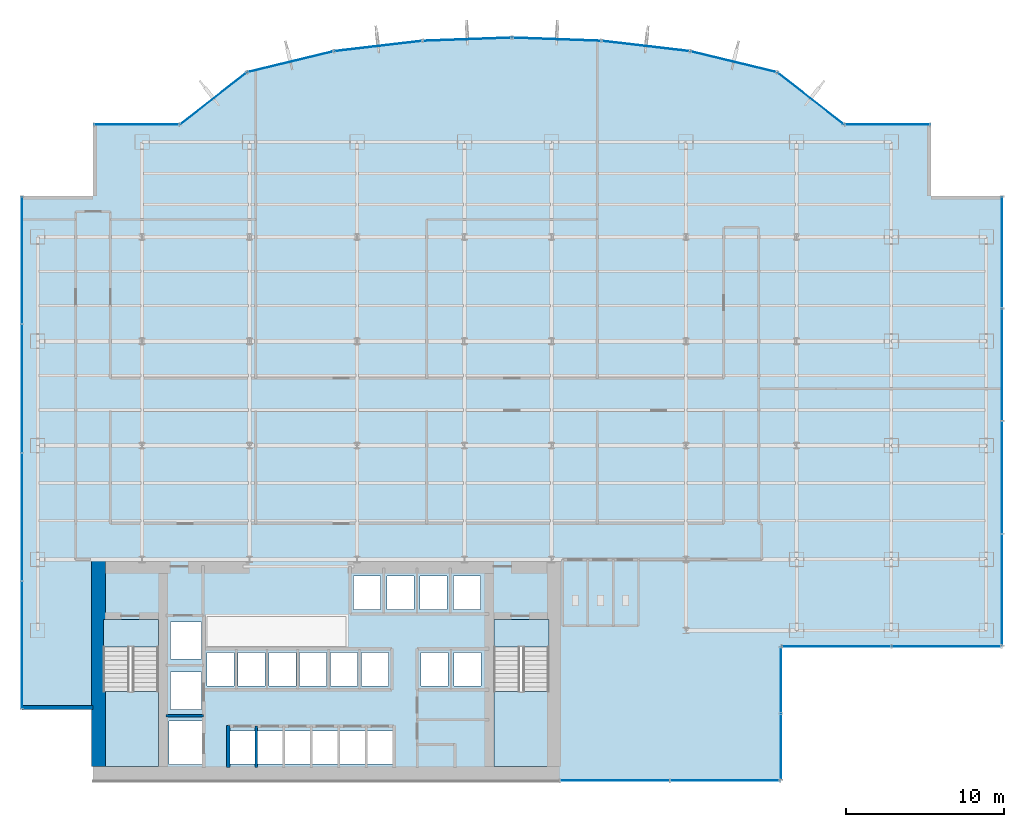
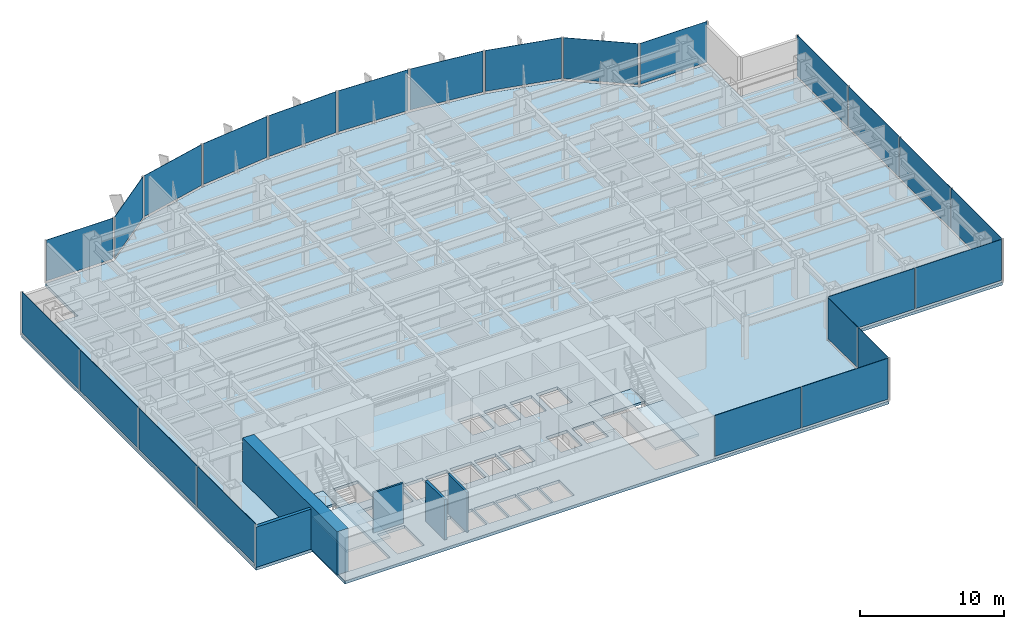
# One storey, part 16 of 22: 24 plates, 5 slabs, 5 walls, 17 elements without a shape of their own.
"""IFC4 building model written with IfcOpenShell, lengths in metres."""

from ifc_helpers import new_model, si_unit, derived_unit, direction, frame, frame_2d, origin, origin_2d, place, context, subcontext, project, spatial, polyline, rectangle, outline, extrude, source, transform, mapped, material, layer, layer_set, type_object, element, aggregate, save


model = new_model("IFC4")

# Units and contexts
model_context = context("Model", 3, precision=1e-05, world=origin(), true_north=direction((0.0, 1.0)))
body_context = subcontext(model_context, "Body", "Model", "MODEL_VIEW")
ifc_project = project(units=[si_unit("LENGTHUNIT", "METRE"), si_unit("AREAUNIT", "SQUARE_METRE"), si_unit("VOLUMEUNIT", "CUBIC_METRE"), si_unit("PLANEANGLEUNIT", "RADIAN"), si_unit("MASSUNIT", "GRAM", prefix="KILO"), derived_unit("THERMALTRANSMITTANCEUNIT", [(si_unit("POWERUNIT", "WATT"), 1), (si_unit("LENGTHUNIT", "METRE"), -2), (si_unit("THERMODYNAMICTEMPERATUREUNIT", "KELVIN"), -1)])], contexts=[model_context])

# Site, building, storey
site_placement = place(None, origin())
site = spatial("IfcSite", under=ifc_project, at=site_placement, CompositionType="ELEMENT")
building_placement = place(site_placement, origin())
building = spatial("IfcBuilding", under=site, at=building_placement, Name="Skarnbrae Concourse Arena and Tower", CompositionType="ELEMENT")
storey_placement = place(building_placement, frame((0.0, 0.0, 32.5)))
storey = spatial("IfcBuildingStorey", under=building, at=storey_placement, Name="L06", CompositionType="ELEMENT", Elevation=32.5)

# Stair, slab
ifc_material_1 = material(Name="Concrete 40 MPa (C40/50)", Category="concrete")
stair_type = type_object("IfcStairType", Name="STAIR-DOGLEG-1650", PredefinedType="HALF_TURN_STAIR", material=ifc_material_1)
stair_1_placement = place(storey_placement, origin())
stair_1 = element("IfcStair", 1, at=stair_1_placement, inside=storey, type_object=stair_type, Name="L06 Protected Exit Stair ST-1", PredefinedType="HALF_TURN_STAIR")
ifc_layer_1 = layer(ifc_material_1, 0.199951171875)
ifc_layer_set_1 = layer_set([ifc_layer_1], Name="Concrete 40 MPa (C40/50)")
slab_type_1 = type_object("IfcSlabType", Name="SLAB-LANDING-200", PredefinedType="LANDING", material=ifc_layer_set_1)
slab_1_placement = place(storey_placement, frame((0.0, 0.0, 1.625)))
slab_1 = element("IfcSlab", 2, at=slab_1_placement, type_object=slab_type_1, Name="ST-1 landing 1", PredefinedType="LANDING", context=body_context, shape_type="SweptSolid", body=[
    extrude(outline(polyline([(5.14990234375, 5.64990234375), (5.14990234375, 0.89990234375), (8.64990234375, 0.89990234375), (8.64990234375, 5.64990234375), (5.14990234375, 5.64990234375)])), origin(), (0.0, 0.0, 1.0), 0.199951171875),
])
aggregate(stair_1, [slab_1])

stair_2_placement = place(storey_placement, origin())
stair_2 = element("IfcStair", 3, at=stair_2_placement, inside=storey, type_object=stair_type, Name="L06 Protected Exit Stair ST-2", PredefinedType="HALF_TURN_STAIR")
slab_2_placement = place(storey_placement, frame((0.0, 0.0, 1.625)))
slab_2 = element("IfcSlab", 4, at=slab_2_placement, type_object=slab_type_1, Name="ST-2 landing 1", PredefinedType="LANDING", context=body_context, shape_type="SweptSolid", body=[
    extrude(outline(polyline([(29.85009765625, 5.64990234375), (29.85009765625, 0.89990234375), (33.35009765625, 0.89990234375), (33.35009765625, 5.64990234375), (29.85009765625, 5.64990234375)])), origin(), (0.0, 0.0, 1.0), 0.199951171875),
])
aggregate(stair_2, [slab_2])

# Slabs
slab_3_placement = place(storey_placement, frame((0.0, 0.0, -0.199951171875)))
element("IfcSlab", 5, at=slab_3_placement, inside=storey, type_object=slab_type_1, Name="L06 Core stair ST1 floor landing", PredefinedType="LANDING", context=body_context, shape_type="SweptSolid", body=[
    extrude(outline(polyline([(5.14990234375, 10.199951171875), (5.14990234375, 8.449951171875), (8.64990234375, 8.449951171875), (8.64990234375, 10.199951171875), (5.14990234375, 10.199951171875)])), origin(), (0.0, 0.0, 1.0), 0.199951171875),
])
slab_4_placement = place(storey_placement, frame((0.0, 0.0, -0.199951171875)))
element("IfcSlab", 6, at=slab_4_placement, inside=storey, type_object=slab_type_1, Name="L06 Core stair ST2 floor landing", PredefinedType="LANDING", context=body_context, shape_type="SweptSolid", body=[
    extrude(outline(polyline([(29.85009765625, 10.199951171875), (29.85009765625, 8.449951171875), (33.35009765625, 8.449951171875), (33.35009765625, 10.199951171875), (29.85009765625, 10.199951171875)])), origin(), (0.0, 0.0, 1.0), 0.199951171875),
])
ifc_layer_2 = layer(ifc_material_1, 0.25)
ifc_layer_set_2 = layer_set([ifc_layer_2], Name="Concrete 40 MPa (C40/50)")
slab_type_2 = type_object("IfcSlabType", Name="SLAB-TOWER-250", PredefinedType="FLOOR", material=ifc_layer_set_2)
slab_5_placement = place(storey_placement, frame((0.0, 0.0, -0.25)))
element("IfcSlab", 7, at=slab_5_placement, inside=storey, type_object=slab_type_2, Name="L06 Structural floor slab", PredefinedType="FLOOR", context=body_context, shape_type="SweptSolid", body=[
    extrude(outline(polyline([(4.5, 0.0), (48.0, 0.0), (48.0, 8.5), (62.0, 8.5), (62.0, 37.0), (57.5, 37.0), (57.5, 41.5), (52.0, 41.5), (47.766357421875, 44.811767578125), (42.2724609375, 46.140380859375), (36.65380859375, 46.796875), (31.0, 47.0), (25.34619140625, 46.796875), (19.7275390625, 46.140380859375), (14.233642578125, 44.811767578125), (10.0, 41.5), (4.5, 41.5), (4.5, 37.0), (0.0, 37.0), (0.0, 4.5), (4.5, 4.5), (4.5, 0.0)]), holes=[polyline([(13.14501953125, 3.155029296875), (14.7548828125, 3.155029296875), (14.7548828125, 1.044921875), (13.14501953125, 1.044921875), (13.14501953125, 3.155029296875)]), polyline([(16.4951171875, 3.155029296875), (16.4951171875, 1.044921875), (14.885009765625, 1.044921875), (14.885009765625, 3.155029296875), (16.4951171875, 3.155029296875)]), polyline([(18.235107421875, 3.155029296875), (18.235107421875, 1.044921875), (16.625, 1.044921875), (16.625, 3.155029296875), (18.235107421875, 3.155029296875)]), polyline([(18.364990234375, 3.155029296875), (19.97509765625, 3.155029296875), (19.97509765625, 1.044921875), (18.364990234375, 1.044921875), (18.364990234375, 3.155029296875)]), polyline([(11.455078125, 3.780029296875), (11.455078125, 1.02001953125), (9.294921875, 1.02001953125), (9.294921875, 3.780029296875), (11.455078125, 3.780029296875)]), polyline([(8.64990234375, 0.89990234375), (5.14990234375, 0.89990234375), (5.14990234375, 10.199951171875), (8.64990234375, 10.199951171875), (8.64990234375, 0.89990234375)]), polyline([(9.39501953125, 6.8798828125), (11.35498046875, 6.8798828125), (11.35498046875, 4.52001953125), (9.39501953125, 4.52001953125), (9.39501953125, 6.8798828125)]), polyline([(13.429931640625, 8.10498046875), (13.429931640625, 5.9951171875), (11.719970703125, 5.9951171875), (11.719970703125, 8.10498046875), (13.429931640625, 8.10498046875)]), polyline([(15.3798828125, 8.10498046875), (15.3798828125, 5.9951171875), (13.669921875, 5.9951171875), (13.669921875, 8.10498046875), (15.3798828125, 8.10498046875)]), polyline([(15.6201171875, 8.10498046875), (17.330078125, 8.10498046875), (17.330078125, 5.9951171875), (15.6201171875, 5.9951171875), (15.6201171875, 8.10498046875)]), polyline([(19.280029296875, 8.10498046875), (19.280029296875, 5.9951171875), (17.570068359375, 5.9951171875), (17.570068359375, 8.10498046875), (19.280029296875, 8.10498046875)]), polyline([(11.35498046875, 10.054931640625), (11.35498046875, 7.695068359375), (9.39501953125, 7.695068359375), (9.39501953125, 10.054931640625), (11.35498046875, 10.054931640625)]), polyline([(21.715087890625, 3.155029296875), (21.715087890625, 1.044921875), (20.10498046875, 1.044921875), (20.10498046875, 3.155029296875), (21.715087890625, 3.155029296875)]), polyline([(23.455078125, 3.155029296875), (23.455078125, 1.044921875), (21.844970703125, 1.044921875), (21.844970703125, 3.155029296875), (23.455078125, 3.155029296875)]), polyline([(33.35009765625, 10.199951171875), (33.35009765625, 0.89990234375), (29.85009765625, 0.89990234375), (29.85009765625, 10.199951171875), (33.35009765625, 10.199951171875)]), polyline([(21.22998046875, 8.10498046875), (21.22998046875, 5.9951171875), (19.52001953125, 5.9951171875), (19.52001953125, 8.10498046875), (21.22998046875, 8.10498046875)]), polyline([(23.179931640625, 8.10498046875), (23.179931640625, 5.9951171875), (21.469970703125, 5.9951171875), (21.469970703125, 8.10498046875), (23.179931640625, 8.10498046875)]), polyline([(25.235107421875, 8.10498046875), (26.945068359375, 8.10498046875), (26.945068359375, 5.9951171875), (25.235107421875, 5.9951171875), (25.235107421875, 8.10498046875)]), polyline([(29.044921875, 8.10498046875), (29.044921875, 5.9951171875), (27.3349609375, 5.9951171875), (27.3349609375, 8.10498046875), (29.044921875, 8.10498046875)]), polyline([(22.695068359375, 12.955078125), (22.695068359375, 10.844970703125), (20.985107421875, 10.844970703125), (20.985107421875, 12.955078125), (22.695068359375, 12.955078125)]), polyline([(23.0849609375, 12.955078125), (24.794921875, 12.955078125), (24.794921875, 10.844970703125), (23.0849609375, 10.844970703125), (23.0849609375, 12.955078125)]), polyline([(26.89501953125, 12.955078125), (26.89501953125, 10.844970703125), (25.18505859375, 10.844970703125), (25.18505859375, 12.955078125), (26.89501953125, 12.955078125)]), polyline([(28.9951171875, 12.955078125), (28.9951171875, 10.844970703125), (27.284912109375, 10.844970703125), (27.284912109375, 12.955078125), (28.9951171875, 12.955078125)])]), origin(), (0.0, 0.0, 1.0), 0.25),
])

# Curtain wall, plates
ifc_material_2 = material(Name="Bronze anodised aluminium 6063-T6", Category="aluminium")
curtain_wall_type = type_object("IfcCurtainWallType", Name="CW-SYS-02-LOWZONE", PredefinedType="USERDEFINED", material=ifc_material_2)
curtain_wall_1_placement = place(storey_placement, origin())
curtain_wall_1 = element("IfcCurtainWall", 8, at=curtain_wall_1_placement, inside=storey, type_object=curtain_wall_type, Name="L06 Unitised curtain wall CW-L06-SE-SPINE", ObjectType="UNITISED CURTAIN WALL", PredefinedType="USERDEFINED")
ifc_material_3 = material(Name="Low-E triple insulating glass", Category="glass")
ifc_layer_3 = layer(ifc_material_3, 0.031982421875)
ifc_layer_set_3 = layer_set([ifc_layer_3], Name="Low-E triple insulating glass")
plate_type = type_object("IfcPlateType", Name="CWP-CW-02", PredefinedType="CURTAIN_PANEL", material=ifc_layer_set_3)
shared_shape_1 = source(origin(), body_context, "Body", "SweptSolid", [
    extrude(rectangle(XDim=6.8798828125, YDim=0.031982421875, at=origin_2d()), origin(), (0.0, 0.0, 1.0), 3.4599609375),
])
plate_1_placement = place(storey_placement, frame((37.52001953125, 0.0, 0.18994140625), z_axis=(0.0, 0.0, 1.0), x_axis=(1.0, 0.0, 0.0)))
plate_1 = element("IfcPlate", 9, at=plate_1_placement, type_object=plate_type, Name="CW-L06-SE-SPINE Low-E Glazing Panel 1", PredefinedType="CURTAIN_PANEL", context=body_context, shape_type="MappedRepresentation", body=[
    mapped(shared_shape_1, transform((0.0, 0.0, 0.0))),
])
plate_2_placement = place(storey_placement, frame((44.47998046875, 0.0, 0.18994140625), z_axis=(0.0, 0.0, 1.0), x_axis=(1.0, 0.0, 0.0)))
plate_2 = element("IfcPlate", 10, at=plate_2_placement, type_object=plate_type, Name="CW-L06-SE-SPINE Low-E Glazing Panel 2", PredefinedType="CURTAIN_PANEL", context=body_context, shape_type="MappedRepresentation", body=[
    mapped(shared_shape_1, transform((0.0, 0.0, 0.0))),
])
aggregate(curtain_wall_1, [plate_1, plate_2])

curtain_wall_2_placement = place(storey_placement, origin())
curtain_wall_2 = element("IfcCurtainWall", 11, at=curtain_wall_2_placement, inside=storey, type_object=curtain_wall_type, Name="L06 Unitised curtain wall CW-L06-E03", ObjectType="UNITISED CURTAIN WALL", PredefinedType="USERDEFINED")
plate_3_placement = place(storey_placement, frame((51.52001953125, 8.5, 0.18994140625), z_axis=(0.0, 0.0, 1.0), x_axis=(1.0, 0.0, 0.0)))
plate_3 = element("IfcPlate", 12, at=plate_3_placement, type_object=plate_type, Name="CW-L06-E03 Low-E Glazing Panel 1", PredefinedType="CURTAIN_PANEL", context=body_context, shape_type="MappedRepresentation", body=[
    mapped(shared_shape_1, transform((0.0, 0.0, 0.0))),
])
plate_4_placement = place(storey_placement, frame((58.47998046875, 8.5, 0.18994140625), z_axis=(0.0, 0.0, 1.0), x_axis=(1.0, 0.0, 0.0)))
plate_4 = element("IfcPlate", 13, at=plate_4_placement, type_object=plate_type, Name="CW-L06-E03 Low-E Glazing Panel 2", PredefinedType="CURTAIN_PANEL", context=body_context, shape_type="MappedRepresentation", body=[
    mapped(shared_shape_1, transform((0.0, 0.0, 0.0))),
])
aggregate(curtain_wall_2, [plate_3, plate_4])

curtain_wall_3_placement = place(storey_placement, origin())
curtain_wall_3 = element("IfcCurtainWall", 14, at=curtain_wall_3_placement, inside=storey, type_object=curtain_wall_type, Name="L06 Unitised curtain wall CW-L06-E02", ObjectType="UNITISED CURTAIN WALL", PredefinedType="USERDEFINED")
shared_shape_2 = source(origin(), body_context, "Body", "SweptSolid", [
    extrude(rectangle(XDim=4.1298828125, YDim=0.031982421875, at=origin_2d()), origin(), (0.0, 0.0, 1.0), 3.4599609375),
])
plate_5_placement = place(storey_placement, frame((48.0, 2.14501953125, 0.18994140625), z_axis=(0.0, 0.0, 1.0), x_axis=(0.0, 1.0, 0.0)))
plate_5 = element("IfcPlate", 15, at=plate_5_placement, type_object=plate_type, Name="CW-L06-E02 Low-E Glazing Panel 1", PredefinedType="CURTAIN_PANEL", context=body_context, shape_type="MappedRepresentation", body=[
    mapped(shared_shape_2, transform((0.0, 0.0, 0.0))),
])
plate_6_placement = place(storey_placement, frame((48.0, 6.35498046875, 0.18994140625), z_axis=(0.0, 0.0, 1.0), x_axis=(0.0, 1.0, 0.0)))
plate_6 = element("IfcPlate", 16, at=plate_6_placement, type_object=plate_type, Name="CW-L06-E02 Low-E Glazing Panel 2", PredefinedType="CURTAIN_PANEL", context=body_context, shape_type="MappedRepresentation", body=[
    mapped(shared_shape_2, transform((0.0, 0.0, 0.0))),
])
aggregate(curtain_wall_3, [plate_5, plate_6])

curtain_wall_4_placement = place(storey_placement, origin())
curtain_wall_4 = element("IfcCurtainWall", 17, at=curtain_wall_4_placement, inside=storey, type_object=curtain_wall_type, Name="L06 Unitised curtain wall CW-L06-E04", ObjectType="UNITISED CURTAIN WALL", PredefinedType="USERDEFINED")
shared_shape_3 = source(origin(), body_context, "Body", "SweptSolid", [
    extrude(rectangle(XDim=7.0048828125, YDim=0.031982421875, at=origin_2d()), origin(), (0.0, 0.0, 1.0), 3.4599609375),
])
plate_7_placement = place(storey_placement, frame((62.0, 12.08251953125, 0.18994140625), z_axis=(0.0, 0.0, 1.0), x_axis=(0.0, 1.0, 0.0)))
plate_7 = element("IfcPlate", 18, at=plate_7_placement, type_object=plate_type, Name="CW-L06-E04 Low-E Glazing Panel 1", PredefinedType="CURTAIN_PANEL", context=body_context, shape_type="MappedRepresentation", body=[
    mapped(shared_shape_3, transform((0.0, 0.0, 0.0))),
])
plate_8_placement = place(storey_placement, frame((62.0, 33.41748046875, 0.18994140625), z_axis=(0.0, 0.0, 1.0), x_axis=(0.0, 1.0, 0.0)))
plate_8 = element("IfcPlate", 19, at=plate_8_placement, type_object=plate_type, Name="CW-L06-E04 Low-E Glazing Panel 4", PredefinedType="CURTAIN_PANEL", context=body_context, shape_type="MappedRepresentation", body=[
    mapped(shared_shape_3, transform((0.0, 0.0, 0.0))),
])
shared_shape_4 = source(origin(), body_context, "Body", "SweptSolid", [
    extrude(rectangle(XDim=7.044921875, YDim=0.031982421875, at=origin_2d()), origin(), (0.0, 0.0, 1.0), 3.4599609375),
])
plate_9_placement = place(storey_placement, frame((62.0, 19.1875, 0.18994140625), z_axis=(0.0, 0.0, 1.0), x_axis=(0.0, 1.0, 0.0)))
plate_9 = element("IfcPlate", 20, at=plate_9_placement, type_object=plate_type, Name="CW-L06-E04 Low-E Glazing Panel 2", PredefinedType="CURTAIN_PANEL", context=body_context, shape_type="MappedRepresentation", body=[
    mapped(shared_shape_4, transform((0.0, 0.0, 0.0))),
])
plate_10_placement = place(storey_placement, frame((62.0, 26.3125, 0.18994140625), z_axis=(0.0, 0.0, 1.0), x_axis=(0.0, 1.0, 0.0)))
plate_10 = element("IfcPlate", 21, at=plate_10_placement, type_object=plate_type, Name="CW-L06-E04 Low-E Glazing Panel 3", PredefinedType="CURTAIN_PANEL", context=body_context, shape_type="MappedRepresentation", body=[
    mapped(shared_shape_4, transform((0.0, 0.0, 0.0))),
])
aggregate(curtain_wall_4, [plate_7, plate_9, plate_10, plate_8])

# Curtain wall, plate
curtain_wall_5_placement = place(storey_placement, origin())
curtain_wall_5 = element("IfcCurtainWall", 22, at=curtain_wall_5_placement, inside=storey, type_object=curtain_wall_type, Name="L06 Unitised curtain wall CW-L06-E07", ObjectType="UNITISED CURTAIN WALL", PredefinedType="USERDEFINED")
shared_shape_5 = source(origin(), body_context, "Body", "SweptSolid", [
    extrude(rectangle(XDim=5.340087890625, YDim=0.031982421875, at=origin_2d()), origin(), (0.0, 0.0, 1.0), 3.4599609375),
])
plate_11_placement = place(storey_placement, frame((54.75, 41.5, 0.18994140625), z_axis=(0.0, 0.0, 1.0), x_axis=(-1.0, 0.0, 0.0)))
plate_11 = element("IfcPlate", 23, at=plate_11_placement, type_object=plate_type, Name="CW-L06-E07 Low-E Glazing Panel 1", PredefinedType="CURTAIN_PANEL", context=body_context, shape_type="MappedRepresentation", body=[
    mapped(shared_shape_5, transform((0.0, 0.0, 0.0))),
])
aggregate(curtain_wall_5, [plate_11])

curtain_wall_6_placement = place(storey_placement, origin())
curtain_wall_6 = element("IfcCurtainWall", 24, at=curtain_wall_6_placement, inside=storey, type_object=curtain_wall_type, Name="L06 Unitised curtain wall CW-L06-E16", ObjectType="UNITISED CURTAIN WALL", PredefinedType="USERDEFINED")
plate_12_placement = place(storey_placement, frame((7.25, 41.5, 0.18994140625), z_axis=(0.0, 0.0, 1.0), x_axis=(-1.0, 0.0, 0.0)))
plate_12 = element("IfcPlate", 25, at=plate_12_placement, type_object=plate_type, Name="CW-L06-E16 Low-E Glazing Panel 1", PredefinedType="CURTAIN_PANEL", context=body_context, shape_type="MappedRepresentation", body=[
    mapped(shared_shape_5, transform((0.0, 0.0, 0.0))),
])
aggregate(curtain_wall_6, [plate_12])

curtain_wall_7_placement = place(storey_placement, origin())
curtain_wall_7 = element("IfcCurtainWall", 26, at=curtain_wall_7_placement, inside=storey, type_object=curtain_wall_type, Name="L06 Unitised curtain wall CW-L06-E08", ObjectType="UNITISED CURTAIN WALL", PredefinedType="USERDEFINED")
shared_shape_6 = source(origin(), body_context, "Body", "SweptSolid", [
    extrude(rectangle(XDim=5.215087890625, YDim=0.031982421875, at=origin_2d()), origin(), (0.0, 0.0, 1.0), 3.4599609375),
])
plate_13_placement = place(storey_placement, frame((49.88330078125, 43.156005859375, 0.18994140625), z_axis=(0.0, 0.0, 1.0), x_axis=(-0.787651726054, 0.616120733658, 0.0)))
plate_13 = element("IfcPlate", 27, at=plate_13_placement, type_object=plate_type, Name="CW-L06-E08 Low-E Glazing Panel 1", PredefinedType="CURTAIN_PANEL", context=body_context, shape_type="MappedRepresentation", body=[
    mapped(shared_shape_6, transform((0.0, 0.0, 0.0))),
])
aggregate(curtain_wall_7, [plate_13])

curtain_wall_8_placement = place(storey_placement, origin())
curtain_wall_8 = element("IfcCurtainWall", 28, at=curtain_wall_8_placement, inside=storey, type_object=curtain_wall_type, Name="L06 Unitised curtain wall CW-L06-E15", ObjectType="UNITISED CURTAIN WALL", PredefinedType="USERDEFINED")
plate_14_placement = place(storey_placement, frame((12.11669921875, 43.156005859375, 0.18994140625), z_axis=(0.0, 0.0, 1.0), x_axis=(-0.787651726054, -0.616120733658, 0.0)))
plate_14 = element("IfcPlate", 29, at=plate_14_placement, type_object=plate_type, Name="CW-L06-E15 Low-E Glazing Panel 1", PredefinedType="CURTAIN_PANEL", context=body_context, shape_type="MappedRepresentation", body=[
    mapped(shared_shape_6, transform((0.0, 0.0, 0.0))),
])
aggregate(curtain_wall_8, [plate_14])

curtain_wall_9_placement = place(storey_placement, origin())
curtain_wall_9 = element("IfcCurtainWall", 30, at=curtain_wall_9_placement, inside=storey, type_object=curtain_wall_type, Name="L06 Unitised curtain wall CW-L06-E09", ObjectType="UNITISED CURTAIN WALL", PredefinedType="USERDEFINED")
shared_shape_7 = source(origin(), body_context, "Body", "SweptSolid", [
    extrude(rectangle(XDim=5.4921875, YDim=0.031982421875, at=origin_2d()), origin(), (0.0, 0.0, 1.0), 3.4599609375),
])
plate_15_placement = place(storey_placement, frame((45.019287109375, 45.47607421875, 0.18994140625), z_axis=(0.0, 0.0, 1.0), x_axis=(-0.971973721569, 0.235089524607, 0.0)))
plate_15 = element("IfcPlate", 31, at=plate_15_placement, type_object=plate_type, Name="CW-L06-E09 Low-E Glazing Panel 1", PredefinedType="CURTAIN_PANEL", context=body_context, shape_type="MappedRepresentation", body=[
    mapped(shared_shape_7, transform((0.0, 0.0, 0.0))),
])
aggregate(curtain_wall_9, [plate_15])

curtain_wall_10_placement = place(storey_placement, origin())
curtain_wall_10 = element("IfcCurtainWall", 32, at=curtain_wall_10_placement, inside=storey, type_object=curtain_wall_type, Name="L06 Unitised curtain wall CW-L06-E14", ObjectType="UNITISED CURTAIN WALL", PredefinedType="USERDEFINED")
plate_16_placement = place(storey_placement, frame((16.980712890625, 45.47607421875, 0.18994140625), z_axis=(0.0, 0.0, 1.0), x_axis=(-0.971973721569, -0.235089524607, 0.0)))
plate_16 = element("IfcPlate", 33, at=plate_16_placement, type_object=plate_type, Name="CW-L06-E14 Low-E Glazing Panel 1", PredefinedType="CURTAIN_PANEL", context=body_context, shape_type="MappedRepresentation", body=[
    mapped(shared_shape_7, transform((0.0, 0.0, 0.0))),
])
aggregate(curtain_wall_10, [plate_16])

curtain_wall_11_placement = place(storey_placement, origin())
curtain_wall_11 = element("IfcCurtainWall", 34, at=curtain_wall_11_placement, inside=storey, type_object=curtain_wall_type, Name="L06 Unitised curtain wall CW-L06-E10", ObjectType="UNITISED CURTAIN WALL", PredefinedType="USERDEFINED")
shared_shape_8 = source(origin(), body_context, "Body", "SweptSolid", [
    extrude(rectangle(XDim=5.49658203125, YDim=0.031982421875, at=origin_2d()), origin(), (0.0, 0.0, 1.0), 3.4599609375),
])
plate_17_placement = place(storey_placement, frame((39.463134765625, 46.46875, 0.18994140625), z_axis=(0.0, 0.0, 1.0), x_axis=(-0.99324457001, 0.116039752435, 0.0)))
plate_17 = element("IfcPlate", 35, at=plate_17_placement, type_object=plate_type, Name="CW-L06-E10 Low-E Glazing Panel 1", PredefinedType="CURTAIN_PANEL", context=body_context, shape_type="MappedRepresentation", body=[
    mapped(shared_shape_8, transform((0.0, 0.0, 0.0))),
])
aggregate(curtain_wall_11, [plate_17])

curtain_wall_12_placement = place(storey_placement, origin())
curtain_wall_12 = element("IfcCurtainWall", 36, at=curtain_wall_12_placement, inside=storey, type_object=curtain_wall_type, Name="L06 Unitised curtain wall CW-L06-E13", ObjectType="UNITISED CURTAIN WALL", PredefinedType="USERDEFINED")
plate_18_placement = place(storey_placement, frame((22.536865234375, 46.46875, 0.18994140625), z_axis=(0.0, 0.0, 1.0), x_axis=(-0.99324457001, -0.116039752435, 0.0)))
plate_18 = element("IfcPlate", 37, at=plate_18_placement, type_object=plate_type, Name="CW-L06-E13 Low-E Glazing Panel 1", PredefinedType="CURTAIN_PANEL", context=body_context, shape_type="MappedRepresentation", body=[
    mapped(shared_shape_8, transform((0.0, 0.0, 0.0))),
])
aggregate(curtain_wall_12, [plate_18])

curtain_wall_13_placement = place(storey_placement, origin())
curtain_wall_13 = element("IfcCurtainWall", 38, at=curtain_wall_13_placement, inside=storey, type_object=curtain_wall_type, Name="L06 Unitised curtain wall CW-L06-E11", ObjectType="UNITISED CURTAIN WALL", PredefinedType="USERDEFINED")
shared_shape_9 = source(origin(), body_context, "Body", "SweptSolid", [
    extrude(rectangle(XDim=5.49755859375, YDim=0.031982421875, at=origin_2d()), origin(), (0.0, 0.0, 1.0), 3.4599609375),
])
plate_19_placement = place(storey_placement, frame((33.826904296875, 46.8984375, 0.18994140625), z_axis=(0.0, 0.0, 1.0), x_axis=(-0.999355425188, 0.035898943527, 0.0)))
plate_19 = element("IfcPlate", 39, at=plate_19_placement, type_object=plate_type, Name="CW-L06-E11 Low-E Glazing Panel 1", PredefinedType="CURTAIN_PANEL", context=body_context, shape_type="MappedRepresentation", body=[
    mapped(shared_shape_9, transform((0.0, 0.0, 0.0))),
])
aggregate(curtain_wall_13, [plate_19])

curtain_wall_14_placement = place(storey_placement, origin())
curtain_wall_14 = element("IfcCurtainWall", 40, at=curtain_wall_14_placement, inside=storey, type_object=curtain_wall_type, Name="L06 Unitised curtain wall CW-L06-E12", ObjectType="UNITISED CURTAIN WALL", PredefinedType="USERDEFINED")
plate_20_placement = place(storey_placement, frame((28.173095703125, 46.8984375, 0.18994140625), z_axis=(0.0, 0.0, 1.0), x_axis=(-0.999355425188, -0.035898943527, 0.0)))
plate_20 = element("IfcPlate", 41, at=plate_20_placement, type_object=plate_type, Name="CW-L06-E12 Low-E Glazing Panel 1", PredefinedType="CURTAIN_PANEL", context=body_context, shape_type="MappedRepresentation", body=[
    mapped(shared_shape_9, transform((0.0, 0.0, 0.0))),
])
aggregate(curtain_wall_14, [plate_20])

# Curtain wall, plates
curtain_wall_15_placement = place(storey_placement, origin())
curtain_wall_15 = element("IfcCurtainWall", 42, at=curtain_wall_15_placement, inside=storey, type_object=curtain_wall_type, Name="L06 Unitised curtain wall CW-L06-E19", ObjectType="UNITISED CURTAIN WALL", PredefinedType="USERDEFINED")
shared_shape_10 = source(origin(), body_context, "Body", "SweptSolid", [
    extrude(rectangle(XDim=8.0048828125, YDim=0.031982421875, at=origin_2d()), origin(), (0.0, 0.0, 1.0), 3.4599609375),
])
plate_21_placement = place(storey_placement, frame((0.0, 32.91748046875, 0.18994140625), z_axis=(0.0, 0.0, 1.0), x_axis=(0.0, -1.0, 0.0)))
plate_21 = element("IfcPlate", 43, at=plate_21_placement, type_object=plate_type, Name="CW-L06-E19 Low-E Glazing Panel 1", PredefinedType="CURTAIN_PANEL", context=body_context, shape_type="MappedRepresentation", body=[
    mapped(shared_shape_10, transform((0.0, 0.0, 0.0))),
])
plate_22_placement = place(storey_placement, frame((0.0, 8.58251953125, 0.18994140625), z_axis=(0.0, 0.0, 1.0), x_axis=(0.0, -1.0, 0.0)))
plate_22 = element("IfcPlate", 44, at=plate_22_placement, type_object=plate_type, Name="CW-L06-E19 Low-E Glazing Panel 4", PredefinedType="CURTAIN_PANEL", context=body_context, shape_type="MappedRepresentation", body=[
    mapped(shared_shape_10, transform((0.0, 0.0, 0.0))),
])
shared_shape_11 = source(origin(), body_context, "Body", "SweptSolid", [
    extrude(rectangle(XDim=8.044921875, YDim=0.031982421875, at=origin_2d()), origin(), (0.0, 0.0, 1.0), 3.4599609375),
])
plate_23_placement = place(storey_placement, frame((0.0, 24.8125, 0.18994140625), z_axis=(0.0, 0.0, 1.0), x_axis=(0.0, -1.0, 0.0)))
plate_23 = element("IfcPlate", 45, at=plate_23_placement, type_object=plate_type, Name="CW-L06-E19 Low-E Glazing Panel 2", PredefinedType="CURTAIN_PANEL", context=body_context, shape_type="MappedRepresentation", body=[
    mapped(shared_shape_11, transform((0.0, 0.0, 0.0))),
])
plate_24_placement = place(storey_placement, frame((0.0, 16.6875, 0.18994140625), z_axis=(0.0, 0.0, 1.0), x_axis=(0.0, -1.0, 0.0)))
plate_24 = element("IfcPlate", 46, at=plate_24_placement, type_object=plate_type, Name="CW-L06-E19 Low-E Glazing Panel 3", PredefinedType="CURTAIN_PANEL", context=body_context, shape_type="MappedRepresentation", body=[
    mapped(shared_shape_11, transform((0.0, 0.0, 0.0))),
])
aggregate(curtain_wall_15, [plate_21, plate_23, plate_24, plate_22])

# Walls
ifc_material_4 = material(Name="Concrete 70 MPa (C70/85)", Category="concrete")
ifc_layer_4 = layer(ifc_material_4, 0.89990234375)
ifc_layer_set_4 = layer_set([ifc_layer_4], Name="Concrete 70 MPa (C70/85)")
wall_type_1 = type_object("IfcWallType", Name="WALL-CORE-900-C70", PredefinedType="SHEAR", material=ifc_layer_set_4)
shared_shape_12 = source(origin(), body_context, "Body", "SweptSolid", [
    extrude(rectangle(XDim=13.10009765625, YDim=0.89990234375, at=frame_2d((6.550048828125, 0.0))), origin(), (0.0, 0.0, 1.0), 3.64990234375),
])
wall_1_placement = place(storey_placement, frame((4.85009765625, 0.89990234375, 0.0), z_axis=(0.0, 0.0, 1.0), x_axis=(0.0, 1.0, 0.0)))
element("IfcWall", 47, at=wall_1_placement, inside=storey, type_object=wall_type_1, Name="L06 Rear core shear wall CW-W", PredefinedType="SHEAR", context=body_context, shape_type="MappedRepresentation", body=[
    mapped(shared_shape_12, transform((0.0, 0.0, 0.0))),
])
ifc_material_5 = material(Name="Precast concrete 40 MPa (C40/50)", Category="concrete")
ifc_layer_5 = layer(ifc_material_5, 0.25)
ifc_layer_set_5 = layer_set([ifc_layer_5], Name="Precast concrete 40 MPa (C40/50)")
wall_type_2 = type_object("IfcWallType", Name="WALL-EXT-SPANDREL-250", PredefinedType="STANDARD", material=ifc_layer_set_5)
shared_shape_13 = source(origin(), body_context, "Body", "SweptSolid", [
    extrude(rectangle(XDim=4.5, YDim=0.25, at=frame_2d((2.25, 0.0))), origin(), (0.0, 0.0, 1.0), 3.39990234375),
])
wall_2_placement = place(storey_placement, frame((0.0, 4.625, 0.0), z_axis=(0.0, 0.0, 1.0), x_axis=(1.0, 0.0, 0.0)))
element("IfcWall", 48, at=wall_2_placement, inside=storey, type_object=wall_type_2, Name="L06 Notched corner insulated return wall 20", PredefinedType="STANDARD", context=body_context, shape_type="MappedRepresentation", body=[
    mapped(shared_shape_13, transform((0.0, 0.0, 0.0))),
])
ifc_material_6 = material(Name="Gypsum board on cold-formed steel studs", Category="steel")
ifc_layer_6 = layer(ifc_material_6, 0.14990234375)
ifc_layer_set_6 = layer_set([ifc_layer_6], Name="Gypsum board on cold-formed steel studs")
wall_type_3 = type_object("IfcWallType", Name="WALL-PART-150", PredefinedType="PARTITIONING", material=ifc_layer_set_6)
shared_shape_14 = source(origin(), body_context, "Body", "SweptSolid", [
    extrude(rectangle(XDim=2.39990234375, YDim=0.14990234375, at=frame_2d((1.199951171875, 0.0))), origin(), (0.0, 0.0, 1.0), 3.39990234375),
])
wall_3_placement = place(storey_placement, frame((9.10009765625, 4.10009765625, 0.0), z_axis=(0.0, 0.0, 1.0), x_axis=(1.0, 0.0, 0.0)))
element("IfcWall", 49, at=wall_3_placement, inside=storey, type_object=wall_type_3, Name="L06 Interior partition wall W-L06-FL-D1", PredefinedType="PARTITIONING", context=body_context, shape_type="MappedRepresentation", body=[
    mapped(shared_shape_14, transform((0.0, 0.0, 0.0))),
])
ifc_layer_7 = layer(ifc_material_6, 0.199951171875)
ifc_layer_set_7 = layer_set([ifc_layer_7], Name="Gypsum board on cold-formed steel studs")
wall_type_4 = type_object("IfcWallType", Name="WALL-PART-200-2HR", PredefinedType="PARTITIONING", material=ifc_layer_set_7)
shared_shape_15 = source(origin(), body_context, "Body", "SweptSolid", [
    extrude(rectangle(XDim=2.64990234375, YDim=0.199951171875, at=frame_2d((1.324951171875, 0.0))), origin(), (0.0, 0.0, 1.0), 3.39990234375),
])
wall_4_placement = place(storey_placement, frame((13.050048828125, 0.85009765625, 0.0), z_axis=(0.0, 0.0, 1.0), x_axis=(0.0, 1.0, 0.0)))
element("IfcWall", 50, at=wall_4_placement, inside=storey, type_object=wall_type_4, Name="L06 Interior partition wall W-L06-B1-W", PredefinedType="PARTITIONING", context=body_context, shape_type="MappedRepresentation", body=[
    mapped(shared_shape_15, transform((0.0, 0.0, 0.0))),
])
shared_shape_16 = source(origin(), body_context, "Body", "SweptSolid", [
    extrude(rectangle(XDim=2.599853515625, YDim=0.14990234375, at=frame_2d((1.2998046875, 0.0))), origin(), (0.0, 0.0, 1.0), 3.39990234375),
])
wall_5_placement = place(storey_placement, frame((14.820068359375, 0.85009765625, 0.0), z_axis=(0.0, 0.0, 1.0), x_axis=(0.0, 1.0, 0.0)))
element("IfcWall", 51, at=wall_5_placement, inside=storey, type_object=wall_type_3, Name="L06 Interior partition wall W-L06-B1-P1", PredefinedType="PARTITIONING", context=body_context, shape_type="MappedRepresentation", body=[
    mapped(shared_shape_16, transform((0.0, 0.0, 0.0))),
])

save(model, "model.ifc")
